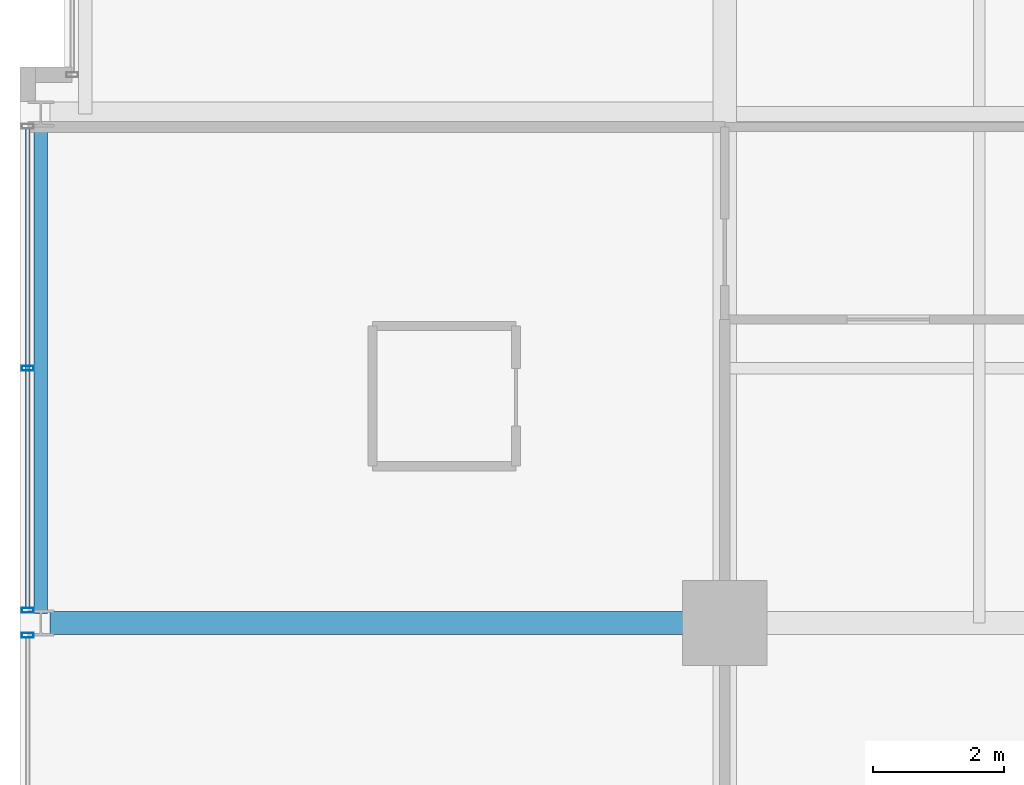
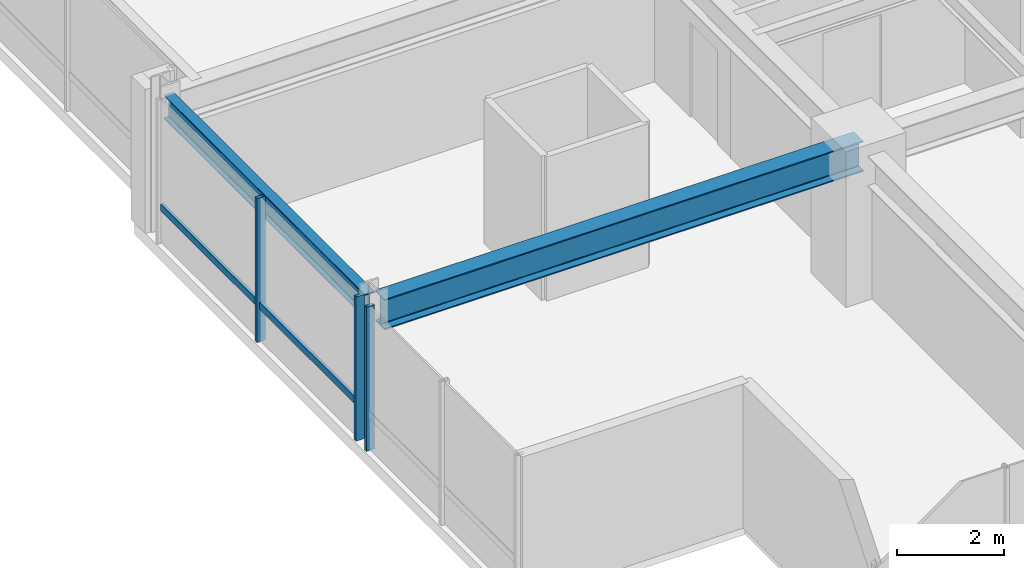
# One storey, part 4 of 33: 4 members, 2 beams, 2 elements without a shape of their own.
"""IFC4 building model written with IfcOpenShell, lengths in metres."""

from ifc_helpers import new_model, si_unit, direction, frame, origin, origin_2d, place, context, subcontext, project, spatial, hollow_rectangle, i_section, extrude, material, layer, layer_set, material_profile, profile_set, type_object, element, aggregate, save


model = new_model("IFC4")

# Units and contexts
model_context = context("Model", 3, precision=1e-05, world=origin(), true_north=direction((0.0, 1.0)))
body_context = subcontext(model_context, "Body", "Model", "MODEL_VIEW")
ifc_project = project(units=[si_unit("LENGTHUNIT", "METRE"), si_unit("AREAUNIT", "SQUARE_METRE"), si_unit("VOLUMEUNIT", "CUBIC_METRE"), si_unit("PLANEANGLEUNIT", "RADIAN"), si_unit("MASSUNIT", "GRAM", prefix="KILO")], contexts=[model_context])

# Site, building, storey
site_placement = place(None, origin())
site = spatial("IfcSite", under=ifc_project, at=site_placement, CompositionType="ELEMENT")
building_placement = place(site_placement, origin())
building = spatial("IfcBuilding", under=site, at=building_placement, Name="Drelvath Grand Hotel", CompositionType="ELEMENT")
storey_placement = place(building_placement, frame((0.0, 0.0, 178.800048828125)))
storey = spatial("IfcBuildingStorey", under=building, at=storey_placement, Name="L46", CompositionType="ELEMENT", Elevation=178.800048828125)

# Curtain wall, member
ifc_material_1 = material(Name="Brushed Pale-Silver Anodised Aluminium Frame", Category="aluminium")
ifc_layer = layer(ifc_material_1, 0.199951171875)
ifc_layer_set = layer_set([ifc_layer], Name="Brushed Pale-Silver Anodised Aluminium Frame")
curtain_wall_type = type_object("IfcCurtainWallType", Name="Stick Curtain Wall CW-04 Brushed Silver Upper-Mid", PredefinedType="NOTDEFINED", material=ifc_layer_set)
curtain_wall_1_placement = place(storey_placement, origin())
curtain_wall_1 = element("IfcCurtainWall", 1, at=curtain_wall_1_placement, inside=storey, type_object=curtain_wall_type, Name="L46 CW-04 Curtain Wall CW04-L46-WS2", PredefinedType="NOTDEFINED")
ifc_material_profile_1 = material_profile(ifc_material_1, hollow_rectangle(XDim=0.06494140625, YDim=0.159912109375, WallThickness=0.00390625, at=origin_2d()), Name="HSS160X65X4")
ifc_profile_set_1 = profile_set([ifc_material_profile_1], Name="Brushed Pale-Silver Anodised Aluminium Frame")
member_type_1 = type_object("IfcMemberType", Name="Curtain Wall Horizontal Transom CW-04 HSS160X65X4", PredefinedType="USERDEFINED", material=ifc_profile_set_1)
member_1_placement = place(storey_placement, frame((-26.8798828125, 11.03173828125, 0.822509765625), z_axis=(0.0, 1.0, 0.0), x_axis=(-1.0, 0.0, 0.0)))
member_1 = element("IfcMember", 2, at=member_1_placement, type_object=member_type_1, Name="CW04-L46-WS2 Sill Transom", ObjectType="TRANSOM", PredefinedType="USERDEFINED", context=body_context, shape_type="SweptSolid", body=[
    extrude(hollow_rectangle(XDim=0.06494140625, YDim=0.159912109375, WallThickness=0.00390625, at=origin_2d()), origin(), (0.0, 0.0, 1.0), 7.336669921875),
])

curtain_wall_2_placement = place(storey_placement, origin())
curtain_wall_2 = element("IfcCurtainWall", 3, at=curtain_wall_2_placement, inside=storey, type_object=curtain_wall_type, Name="L46 CW-04 Curtain Wall CW04-L46-WS1", PredefinedType="NOTDEFINED")
ifc_material_profile_2 = material_profile(ifc_material_1, hollow_rectangle(XDim=0.074951171875, YDim=0.179931640625, WallThickness=0.0048828125, at=origin_2d()), Name="HSS180X75X5")
ifc_profile_set_2 = profile_set([ifc_material_profile_2], Name="Brushed Pale-Silver Anodised Aluminium Frame")
member_type_2 = type_object("IfcMemberType", Name="Curtain Wall Vertical Mullion CW-04 HSS180X75X5", PredefinedType="MULLION", material=ifc_profile_set_2)
member_2_placement = place(storey_placement, frame((-26.8798828125, 10.6083984375, 0.0), z_axis=(0.0, 0.0, 1.0), x_axis=(0.0, 1.0, 0.0)))
member_2 = element("IfcMember", 4, at=member_2_placement, type_object=member_type_2, Name="CW04-L46-WS1 Mullion 3", PredefinedType="MULLION", context=body_context, shape_type="SweptSolid", body=[
    extrude(hollow_rectangle(XDim=0.074951171875, YDim=0.179931640625, WallThickness=0.0048828125, at=origin_2d()), origin(), (0.0, 0.0, 1.0), 3.2900390625),
])
aggregate(curtain_wall_2, [member_2])

# Member
member_3_placement = place(storey_placement, frame((-26.8798828125, 10.99169921875, 0.0), z_axis=(0.0, 0.0, 1.0), x_axis=(0.0, 1.0, 0.0)))
member_3 = element("IfcMember", 5, at=member_3_placement, type_object=member_type_2, Name="CW04-L46-WS2 Mullion 1", PredefinedType="MULLION", context=body_context, shape_type="SweptSolid", body=[
    extrude(hollow_rectangle(XDim=0.074951171875, YDim=0.179931640625, WallThickness=0.0048828125, at=origin_2d()), origin(), (0.0, 0.0, 1.0), 3.2900390625),
])

member_4_placement = place(storey_placement, frame((-26.8798828125, 14.7001953125, 0.0), z_axis=(0.0, 0.0, 1.0), x_axis=(0.0, 1.0, 0.0)))
member_4 = element("IfcMember", 6, at=member_4_placement, type_object=member_type_2, Name="CW04-L46-WS2 Mullion 2", PredefinedType="MULLION", context=body_context, shape_type="SweptSolid", body=[
    extrude(hollow_rectangle(XDim=0.074951171875, YDim=0.179931640625, WallThickness=0.0048828125, at=origin_2d()), origin(), (0.0, 0.0, 1.0), 3.2900390625),
])

aggregate(curtain_wall_1, [member_3, member_4, member_1])

# Beams
ifc_material_2 = material(Name="Steel ASTM A992 Gr 50", Category="steel")
ifc_material_profile_3 = material_profile(ifc_material_2, i_section(OverallWidth=0.210205078125, OverallDepth=0.53662109375, WebThickness=0.010986328125, FlangeThickness=0.017333984375, FilletRadius=0.01806640625, at=origin_2d()), Name="W21X68")
ifc_profile_set_3 = profile_set([ifc_material_profile_3], Name="Steel ASTM A992 Gr 50")
beam_type_1 = type_object("IfcBeamType", Name="Perimeter Spandrel Beam W21X68", PredefinedType="SPANDREL", material=ifc_profile_set_3)
beam_1_placement = place(storey_placement, frame((-26.679931640625, 10.93994140625, 3.021728515625), z_axis=(0.0, 1.0, 0.0), x_axis=(-1.0, 0.0, 0.0)))
element("IfcBeam", 7, at=beam_1_placement, inside=storey, type_object=beam_type_1, Name="L46 Spandrel West S", PredefinedType="SPANDREL", context=body_context, shape_type="SweptSolid", body=[
    extrude(i_section(OverallWidth=0.210205078125, OverallDepth=0.53662109375, WebThickness=0.010986328125, FlangeThickness=0.017333984375, FilletRadius=0.01806640625, at=origin_2d()), origin(), (0.0, 0.0, 1.0), 7.52001953125),
])
ifc_material_profile_4 = material_profile(ifc_material_2, i_section(OverallWidth=0.354736328125, OverallDepth=0.695556640625, WebThickness=0.015380859375, FlangeThickness=0.025146484375, FilletRadius=0.02392578125, at=origin_2d()), Name="W27X146")
ifc_profile_set_4 = profile_set([ifc_material_profile_4], Name="Steel ASTM A992 Gr 50")
beam_type_2 = type_object("IfcBeamType", Name="Primary Floor Girder W27X146", PredefinedType="BEAM", material=ifc_profile_set_4)
beam_2_placement = place(storey_placement, frame((-26.5400390625, 10.800048828125, 2.942138671875), z_axis=(1.0, 0.0, 0.0), x_axis=(0.0, 1.0, 0.0)))
element("IfcBeam", 8, at=beam_2_placement, inside=storey, type_object=beam_type_2, Name="L46 West Grid Girder C", PredefinedType="BEAM", context=body_context, shape_type="SweptSolid", body=[
    extrude(i_section(OverallWidth=0.354736328125, OverallDepth=0.695556640625, WebThickness=0.015380859375, FlangeThickness=0.025146484375, FilletRadius=0.02392578125, at=origin_2d()), origin(), (0.0, 0.0, 1.0), 10.340087890625),
])

save(model, "model.ifc")
